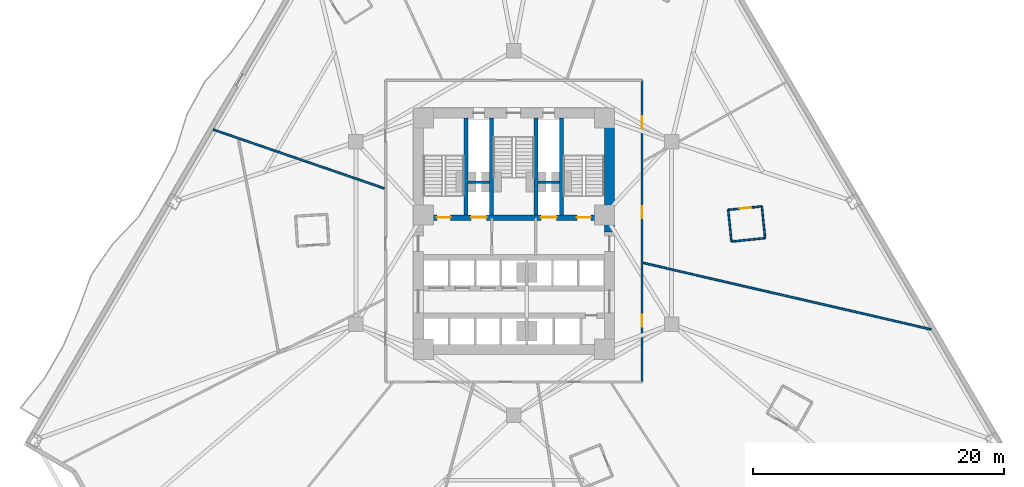
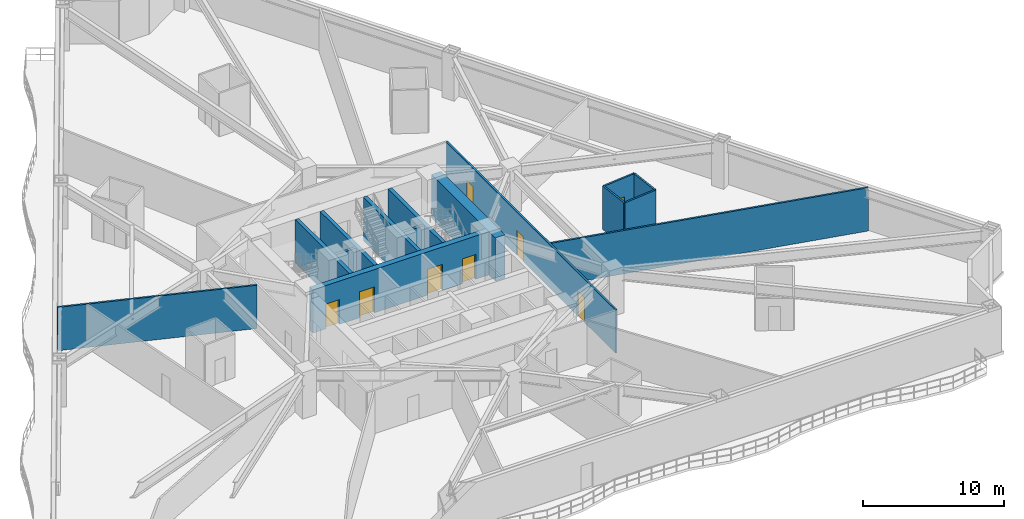
# One storey, part 5 of 11: 15 walls, 8 doors, 8 openings.
"""IFC4 building model written with IfcOpenShell, lengths in metres."""

from ifc_helpers import new_model, si_unit, direction, frame, frame_2d, origin, place, context, subcontext, project, spatial, rectangle, extrude, material, layer, layer_set, type_object, element, fill, save


model = new_model("IFC4")

# Units and contexts
model_context = context("Model", 3, precision=1e-05, world=origin(), true_north=direction((0.0, 1.0)))
body_context = subcontext(model_context, "Body", "Model", "MODEL_VIEW")
ifc_project = project(units=[si_unit("LENGTHUNIT", "METRE"), si_unit("AREAUNIT", "SQUARE_METRE"), si_unit("VOLUMEUNIT", "CUBIC_METRE"), si_unit("PLANEANGLEUNIT", "RADIAN"), si_unit("MASSUNIT", "GRAM", prefix="KILO")], contexts=[model_context])

# Site, building, storey
site_placement = place(None, origin())
site = spatial("IfcSite", under=ifc_project, at=site_placement, CompositionType="ELEMENT")
building_placement = place(site_placement, origin())
building = spatial("IfcBuilding", under=site, at=building_placement, Name="Apsidion Concourse Tower", CompositionType="ELEMENT")
storey_placement = place(building_placement, frame((0.0, 0.0, 46.39990234375)))
storey = spatial("IfcBuildingStorey", under=building, at=storey_placement, Name="L09", CompositionType="ELEMENT", Elevation=46.39990234375)

# Walls
ifc_material_1 = material(Name="Gypsum plasterboard partition")
ifc_layer_1 = layer(ifc_material_1, 0.139892578125)
ifc_layer_set_1 = layer_set([ifc_layer_1], Name="Gypsum plasterboard partition")
wall_type_1 = type_object("IfcWallType", Name="WL-INT-PAR-140", PredefinedType="PARTITIONING", material=ifc_layer_set_1)
wall_1_placement = place(storey_placement, frame((17.3173828125, -0.6806640625, 0.0), z_axis=(0.0, 0.0, 1.0), x_axis=(0.994708437569, 0.102738134245, 0.0)))
element("IfcWall", 1, at=wall_1_placement, inside=storey, type_object=wall_type_1, Name="L09 Interior Partition WL-L09-POD-ENS06-S1", PredefinedType="PARTITIONING", context=body_context, shape_type="SweptSolid", body=[
    extrude(rectangle(XDim=2.68994140625, YDim=0.139892578125, at=frame_2d((1.344970703125, 0.0))), origin(), (0.0, 0.0, 1.0), 3.75),
])
wall_2_placement = place(storey_placement, frame((19.9931640625, -0.404296875, 0.0), z_axis=(0.0, 0.0, 1.0), x_axis=(-0.102748303881, 0.994707387149, 0.0)))
element("IfcWall", 2, at=wall_2_placement, inside=storey, type_object=wall_type_1, Name="L09 Interior Partition WL-L09-POD-ENS06-S2", PredefinedType="PARTITIONING", context=body_context, shape_type="SweptSolid", body=[
    extrude(rectangle(XDim=2.5400390625, YDim=0.139892578125, at=frame_2d((1.27001953125, 0.0))), origin(), (0.0, 0.0, 1.0), 3.75),
])

# Wall, opening, door
wall_3_placement = place(storey_placement, frame((19.732177734375, 2.122314453125, 0.0), z_axis=(0.0, 0.0, 1.0), x_axis=(-0.994699158628, -0.102827933095, 0.0)))
wall_3 = element("IfcWall", 3, at=wall_3_placement, inside=storey, type_object=wall_type_1, Name="L09 Interior Partition WL-L09-POD-ENS06-S3", PredefinedType="PARTITIONING", context=body_context, shape_type="SweptSolid", body=[
    extrude(rectangle(XDim=2.68994140625, YDim=0.139892578125, at=frame_2d((1.344970703125, 0.0))), origin(), (0.0, 0.0, 1.0), 3.75),
])
opening_1_placement = place(wall_3_placement, frame((0.905029296875, 0.0, 0.0)))
opening_1 = element("IfcOpeningElement", 4, at=opening_1_placement, cuts=wall_3, Name="Opening D-03L", PredefinedType="OPENING", context=body_context, shape_type="SweptSolid", body=[
    extrude(rectangle(XDim=0.8798828125, YDim=2.10009765625, at=frame_2d((0.43994140625, 1.050048828125))), frame((0.0, 0.080078125, 0.0), z_axis=(0.0, -1.0, 0.0), x_axis=(1.0, 0.0, 0.0)), (0.0, 0.0, 1.0), 0.159912109375),
])
ifc_material_2 = material(Name="Anodised aluminium EN AW-6063 T6", Category="aluminium")
door_type_1 = type_object("IfcDoorType", Name="DR-INT-D03L", OperationType="SINGLE_SWING_LEFT", PredefinedType="DOOR", material=ifc_material_2)
door_1_placement = place(opening_1_placement, origin())
door_1 = element("IfcDoor", 5, at=door_1_placement, inside=storey, type_object=door_type_1, Name="L09 Guest En-Suite Bathroom Door ENS06", OperationType="SINGLE_SWING_LEFT", OverallHeight=2.10009765625, OverallWidth=0.8798828125, PredefinedType="DOOR", context=body_context, shape_type="SweptSolid", body=[
    extrude(rectangle(XDim=0.8798828125, YDim=2.10009765625, at=frame_2d((0.43994140625, 1.050048828125))), frame((0.0, 0.02490234375, 0.0), z_axis=(0.0, -1.0, 0.0), x_axis=(1.0, 0.0, 0.0)), (0.0, 0.0, 1.0), 0.050048828125),
])
fill(opening_1, door_1)

# Wall
wall_4_placement = place(storey_placement, frame((17.056396484375, 1.845703125, 0.0), z_axis=(0.0, 0.0, 1.0), x_axis=(0.102758128331, -0.994706372284, 0.0)))
element("IfcWall", 6, at=wall_4_placement, inside=storey, type_object=wall_type_1, Name="L09 Interior Partition WL-L09-POD-ENS06-S4", PredefinedType="PARTITIONING", context=body_context, shape_type="SweptSolid", body=[
    extrude(rectangle(XDim=2.539794921875, YDim=0.139892578125, at=frame_2d((1.27001953125, 0.0))), origin(), (0.0, 0.0, 1.0), 3.75),
])

# Wall, openings, doors
ifc_layer_2 = layer(ifc_material_1, 0.14990234375)
ifc_layer_set_2 = layer_set([ifc_layer_2], Name="Gypsum plasterboard partition")
wall_type_2 = type_object("IfcWallType", Name="WL-INT-PAR-150", PredefinedType="PARTITIONING", material=ifc_layer_set_2)
wall_5_placement = place(storey_placement, frame((10.199951171875, 12.14990234375, 0.0), z_axis=(0.0, 0.0, 1.0), x_axis=(0.0, -1.0, 0.0)))
wall_5 = element("IfcWall", 7, at=wall_5_placement, inside=storey, type_object=wall_type_2, Name="L09 Interior Partition WL-L09-CORR-02", PredefinedType="PARTITIONING", context=body_context, shape_type="SweptSolid", body=[
    extrude(rectangle(XDim=24.0, YDim=0.14990234375, at=frame_2d((12.0, 0.0))), origin(), (0.0, 0.0, 1.0), 3.75),
])
opening_2_placement = place(wall_5_placement, frame((18.66015625, 0.0, 0.0)))
opening_2 = element("IfcOpeningElement", 8, at=opening_2_placement, cuts=wall_5, Name="Opening D-01R", PredefinedType="OPENING", context=body_context, shape_type="SweptSolid", body=[
    extrude(rectangle(XDim=0.949951171875, YDim=2.14990234375, at=frame_2d((0.47509765625, 1.074951171875))), frame((0.0, 0.0849609375, 0.0), z_axis=(0.0, -1.0, 0.0), x_axis=(1.0, 0.0, 0.0)), (0.0, 0.0, 1.0), 0.169921875),
])
opening_3_placement = place(wall_5_placement, frame((10.010498046875, 0.0, 0.0)))
opening_3 = element("IfcOpeningElement", 9, at=opening_3_placement, cuts=wall_5, Name="Opening D-01L", PredefinedType="OPENING", context=body_context, shape_type="SweptSolid", body=[
    extrude(rectangle(XDim=0.949951171875, YDim=2.14990234375, at=frame_2d((0.47509765625, 1.074951171875))), frame((0.0, 0.0849609375, 0.0), z_axis=(0.0, -1.0, 0.0), x_axis=(1.0, 0.0, 0.0)), (0.0, 0.0, 1.0), 0.169921875),
])
opening_4_placement = place(wall_5_placement, frame((2.873046875, 0.0, 0.0)))
opening_4 = element("IfcOpeningElement", 10, at=opening_4_placement, cuts=wall_5, Name="Opening D-01R", PredefinedType="OPENING", context=body_context, shape_type="SweptSolid", body=[
    extrude(rectangle(XDim=0.949951171875, YDim=2.14990234375, at=frame_2d((0.47509765625, 1.074951171875))), frame((0.0, 0.0849609375, 0.0), z_axis=(0.0, -1.0, 0.0), x_axis=(1.0, 0.0, 0.0)), (0.0, 0.0, 1.0), 0.169921875),
])
ifc_material_3 = material(Name="Brushed stainless steel 316", Category="steel")
door_type_2 = type_object("IfcDoorType", Name="DR-INT-D01L", OperationType="SINGLE_SWING_LEFT", PredefinedType="DOOR", material=ifc_material_3)
door_2_placement = place(opening_3_placement, origin())
door_2 = element("IfcDoor", 11, at=door_2_placement, inside=storey, type_object=door_type_2, Name="L09 Corridor Entry Door 07", OperationType="SINGLE_SWING_LEFT", OverallHeight=2.14990234375, OverallWidth=0.949951171875, PredefinedType="DOOR", context=body_context, shape_type="SweptSolid", body=[
    extrude(rectangle(XDim=0.949951171875, YDim=2.14990234375, at=frame_2d((0.47509765625, 1.074951171875))), frame((0.0, 0.02490234375, 0.0), z_axis=(0.0, -1.0, 0.0), x_axis=(1.0, 0.0, 0.0)), (0.0, 0.0, 1.0), 0.050048828125),
])
fill(opening_3, door_2)
door_type_3 = type_object("IfcDoorType", Name="DR-INT-D01R", OperationType="SINGLE_SWING_RIGHT", PredefinedType="DOOR", material=ifc_material_3)
door_3_placement = place(opening_2_placement, origin())
door_3 = element("IfcDoor", 12, at=door_3_placement, inside=storey, type_object=door_type_3, Name="L09 Corridor Entry Door 06", OperationType="SINGLE_SWING_RIGHT", OverallHeight=2.14990234375, OverallWidth=0.949951171875, PredefinedType="DOOR", context=body_context, shape_type="SweptSolid", body=[
    extrude(rectangle(XDim=0.949951171875, YDim=2.14990234375, at=frame_2d((0.47509765625, 1.074951171875))), frame((0.0, 0.02490234375, 0.0), z_axis=(0.0, -1.0, 0.0), x_axis=(1.0, 0.0, 0.0)), (0.0, 0.0, 1.0), 0.050048828125),
])
fill(opening_2, door_3)
door_4_placement = place(opening_4_placement, origin())
door_4 = element("IfcDoor", 13, at=door_4_placement, inside=storey, type_object=door_type_3, Name="L09 Corridor Entry Door 08", OperationType="SINGLE_SWING_RIGHT", OverallHeight=2.14990234375, OverallWidth=0.949951171875, PredefinedType="DOOR", context=body_context, shape_type="SweptSolid", body=[
    extrude(rectangle(XDim=0.949951171875, YDim=2.14990234375, at=frame_2d((0.47509765625, 1.074951171875))), frame((0.0, 0.02490234375, 0.0), z_axis=(0.0, -1.0, 0.0), x_axis=(1.0, 0.0, 0.0)), (0.0, 0.0, 1.0), 0.050048828125),
])
fill(opening_4, door_4)

# Walls
wall_6_placement = place(storey_placement, frame((-10.304931640625, 3.54833984375, 0.0), z_axis=(0.0, 0.0, 1.0), x_axis=(-0.94551936362, 0.32556586587, 0.0)))
element("IfcWall", 14, at=wall_6_placement, inside=storey, type_object=wall_type_2, Name="L09 Interior Partition WL-L09-RAD-04-1", PredefinedType="PARTITIONING", context=body_context, shape_type="SweptSolid", body=[
    extrude(rectangle(XDim=14.400146484375, YDim=0.14990234375, at=frame_2d((7.2001953125, 0.0))), origin(), (0.0, 0.0, 1.0), 3.75),
])
wall_7_placement = place(storey_placement, frame((10.304931640625, -2.379150390625, 0.0), z_axis=(0.0, 0.0, 1.0), x_axis=(0.974372109456, -0.224942197717, 0.0)))
element("IfcWall", 15, at=wall_7_placement, inside=storey, type_object=wall_type_2, Name="L09 Interior Partition WL-L09-RAD-10-1", PredefinedType="PARTITIONING", context=body_context, shape_type="SweptSolid", body=[
    extrude(rectangle(XDim=23.503173828125, YDim=0.14990234375, at=frame_2d((11.75146484375, 0.0))), origin(), (0.0, 0.0, 1.0), 3.75),
])
ifc_layer_3 = layer(ifc_material_1, 0.199951171875)
ifc_layer_set_3 = layer_set([ifc_layer_3], Name="Gypsum plasterboard partition")
wall_type_3 = type_object("IfcWallType", Name="WL-INT-PAR-200", PredefinedType="PARTITIONING", material=ifc_layer_set_3)
for number, where, z_axis, x_axis, name in (
    (16, (-3.64990234375, 4.050048828125, 0.0), (0.0, 0.0, 1.0), (1.0, 0.0, 0.0), "L09 Interior Partition WL-L09-FF1-N"),
    (17, (1.919921875, 4.050048828125, 0.0), (0.0, 0.0, 1.0), (1.0, 0.0, 0.0), "L09 Interior Partition WL-L09-FF2-N"),
):
    element("IfcWall", number, at=place(storey_placement, frame(where, z_axis=z_axis, x_axis=x_axis)), inside=storey, type_object=wall_type_3, Name=name, PredefinedType="PARTITIONING", context=body_context, shape_type="SweptSolid", body=[
        extrude(rectangle(XDim=1.72998046875, YDim=0.199951171875, at=frame_2d((0.864990234375, 0.0))), origin(), (0.0, 0.0, 1.0), 3.75),
    ])
ifc_material_4 = material(Name="Concrete C50/60", Category="concrete")
ifc_layer_4 = layer(ifc_material_4, 0.300048828125)
ifc_layer_set_4 = layer_set([ifc_layer_4], Name="Concrete C50/60")
wall_type_4 = type_object("IfcWallType", Name="WL-SH-300", PredefinedType="SHEAR", material=ifc_layer_set_4)
for number, where, z_axis, x_axis, name in (
    (18, (-3.800048828125, 1.449951171875, 0.0), (0.0, 0.0, 1.0), (0.0, 1.0, 0.0), "L09 Central Core Shear Wall V1"),
    (19, (-1.77490234375, 1.449951171875, 0.0), (0.0, 0.0, 1.0), (0.0, 1.0, 0.0), "L09 Central Core Shear Wall V2"),
    (20, (1.77490234375, 1.449951171875, 0.0), (0.0, 0.0, 1.0), (0.0, 1.0, 0.0), "L09 Central Core Shear Wall V3"),
    (21, (3.800048828125, 1.449951171875, 0.0), (0.0, 0.0, 1.0), (0.0, 1.0, 0.0), "L09 Central Core Shear Wall V4"),
):
    element("IfcWall", number, at=place(storey_placement, frame(where, z_axis=z_axis, x_axis=x_axis)), inside=storey, type_object=wall_type_4, Name=name, PredefinedType="SHEAR", context=body_context, shape_type="SweptSolid", body=[
        extrude(rectangle(XDim=7.699951171875, YDim=0.300048828125, at=frame_2d((3.85009765625, 0.0))), origin(), (0.0, 0.0, 1.0), 3.75),
    ])

# Wall, openings, doors
ifc_material_5 = material(Name="Concrete C60/75", Category="concrete")
ifc_layer_5 = layer(ifc_material_5, 0.449951171875)
ifc_layer_set_5 = layer_set([ifc_layer_5], Name="Concrete C60/75")
wall_type_5 = type_object("IfcWallType", Name="WL-SH-450", PredefinedType="SHEAR", material=ifc_layer_set_5)
wall_8_placement = place(storey_placement, frame((-7.199951171875, 1.22509765625, 0.0), z_axis=(0.0, 0.0, 1.0), x_axis=(1.0, 0.0, 0.0)))
wall_8 = element("IfcWall", 22, at=wall_8_placement, inside=storey, type_object=wall_type_5, Name="L09 Central Core Shear Wall M1", PredefinedType="SHEAR", context=body_context, shape_type="SweptSolid", body=[
    extrude(rectangle(XDim=14.39990234375, YDim=0.449951171875, at=frame_2d((7.199951171875, 0.0))), origin(), (0.0, 0.0, 1.0), 3.75),
])
opening_5_placement = place(wall_8_placement, frame((3.794921875, 0.0, 0.0)))
opening_5 = element("IfcOpeningElement", 23, at=opening_5_placement, cuts=wall_8, Name="Opening LD-FF", PredefinedType="OPENING", context=body_context, shape_type="SweptSolid", body=[
    extrude(rectangle(XDim=1.25, YDim=2.25, at=frame_2d((0.625, 1.125))), frame((0.0, 0.23486328125, 0.0), z_axis=(0.0, -1.0, 0.0), x_axis=(1.0, 0.0, 0.0)), (0.0, 0.0, 1.0), 0.469970703125),
])
opening_6_placement = place(wall_8_placement, frame((9.35498046875, 0.0, 0.0)))
opening_6 = element("IfcOpeningElement", 24, at=opening_6_placement, cuts=wall_8, Name="Opening LD-FF", PredefinedType="OPENING", context=body_context, shape_type="SweptSolid", body=[
    extrude(rectangle(XDim=1.25, YDim=2.25, at=frame_2d((0.625, 1.125))), frame((0.0, 0.23486328125, 0.0), z_axis=(0.0, -1.0, 0.0), x_axis=(1.0, 0.0, 0.0)), (0.0, 0.0, 1.0), 0.469970703125),
])
opening_7_placement = place(wall_8_placement, frame((1.074951171875, 0.0, 0.0)))
opening_7 = element("IfcOpeningElement", 25, at=opening_7_placement, cuts=wall_8, Name="Opening D-STL", PredefinedType="OPENING", context=body_context, shape_type="SweptSolid", body=[
    extrude(rectangle(XDim=1.10009765625, YDim=2.14990234375, at=frame_2d((0.550048828125, 1.074951171875))), frame((0.0, 0.23486328125, 0.0), z_axis=(0.0, -1.0, 0.0), x_axis=(1.0, 0.0, 0.0)), (0.0, 0.0, 1.0), 0.469970703125),
])
opening_8_placement = place(wall_8_placement, frame((12.22509765625, 0.0, 0.0)))
opening_8 = element("IfcOpeningElement", 26, at=opening_8_placement, cuts=wall_8, Name="Opening D-STR", PredefinedType="OPENING", context=body_context, shape_type="SweptSolid", body=[
    extrude(rectangle(XDim=1.10009765625, YDim=2.14990234375, at=frame_2d((0.550048828125, 1.074951171875))), frame((0.0, 0.23486328125, 0.0), z_axis=(0.0, -1.0, 0.0), x_axis=(1.0, 0.0, 0.0)), (0.0, 0.0, 1.0), 0.469970703125),
])
door_type_4 = type_object("IfcDoorType", Name="DR-INT-ST1L", OperationType="SINGLE_SWING_LEFT", PredefinedType="DOOR", material=ifc_material_3)
door_5_placement = place(opening_7_placement, origin())
door_5 = element("IfcDoor", 27, at=door_5_placement, inside=storey, type_object=door_type_4, Name="L09 Core Exit Stair ST1 Door", OperationType="SINGLE_SWING_LEFT", OverallHeight=2.14990234375, OverallWidth=1.10009765625, PredefinedType="DOOR", context=body_context, shape_type="SweptSolid", body=[
    extrude(rectangle(XDim=1.10009765625, YDim=2.14990234375, at=frame_2d((0.550048828125, 1.074951171875))), frame((0.0, 0.02490234375, 0.0), z_axis=(0.0, -1.0, 0.0), x_axis=(1.0, 0.0, 0.0)), (0.0, 0.0, 1.0), 0.050048828125),
])
fill(opening_7, door_5)
door_type_5 = type_object("IfcDoorType", Name="DR-INT-ST1R", OperationType="SINGLE_SWING_RIGHT", PredefinedType="DOOR", material=ifc_material_3)
door_6_placement = place(opening_8_placement, origin())
door_6 = element("IfcDoor", 28, at=door_6_placement, inside=storey, type_object=door_type_5, Name="L09 Core Exit Stair ST2 Door", OperationType="SINGLE_SWING_RIGHT", OverallHeight=2.14990234375, OverallWidth=1.10009765625, PredefinedType="DOOR", context=body_context, shape_type="SweptSolid", body=[
    extrude(rectangle(XDim=1.10009765625, YDim=2.14990234375, at=frame_2d((0.550048828125, 1.074951171875))), frame((0.0, 0.02490234375, 0.0), z_axis=(0.0, -1.0, 0.0), x_axis=(1.0, 0.0, 0.0)), (0.0, 0.0, 1.0), 0.050048828125),
])
fill(opening_8, door_6)
door_type_6 = type_object("IfcDoorType", Name="DR-LD-FSAE", OperationType="DOUBLE_DOOR_SLIDING", PredefinedType="DOOR", material=ifc_material_3)
door_7_placement = place(opening_5_placement, origin())
door_7 = element("IfcDoor", 29, at=door_7_placement, inside=storey, type_object=door_type_6, Name="L09 Lift Landing Door FF1", OperationType="DOUBLE_DOOR_SLIDING", OverallHeight=2.25, OverallWidth=1.25, PredefinedType="DOOR", context=body_context, shape_type="SweptSolid", body=[
    extrude(rectangle(XDim=1.25, YDim=2.25, at=frame_2d((0.625, 1.125))), frame((0.0, 0.02490234375, 0.0), z_axis=(0.0, -1.0, 0.0), x_axis=(1.0, 0.0, 0.0)), (0.0, 0.0, 1.0), 0.050048828125),
])
fill(opening_5, door_7)
door_8_placement = place(opening_6_placement, origin())
door_8 = element("IfcDoor", 30, at=door_8_placement, inside=storey, type_object=door_type_6, Name="L09 Lift Landing Door FF2", OperationType="DOUBLE_DOOR_SLIDING", OverallHeight=2.25, OverallWidth=1.25, PredefinedType="DOOR", context=body_context, shape_type="SweptSolid", body=[
    extrude(rectangle(XDim=1.25, YDim=2.25, at=frame_2d((0.625, 1.125))), frame((0.0, 0.02490234375, 0.0), z_axis=(0.0, -1.0, 0.0), x_axis=(1.0, 0.0, 0.0)), (0.0, 0.0, 1.0), 0.050048828125),
])
fill(opening_6, door_8)

# Wall
ifc_layer_6 = layer(ifc_material_5, 0.800048828125)
ifc_layer_set_6 = layer_set([ifc_layer_6], Name="Concrete C60/75")
wall_type_6 = type_object("IfcWallType", Name="WL-SH-800", PredefinedType="SHEAR", material=ifc_layer_set_6)
wall_9_placement = place(storey_placement, frame((7.60009765625, 0.10009765625, 0.0), z_axis=(0.0, 0.0, 1.0), x_axis=(0.0, 1.0, 0.0)))
element("IfcWall", 31, at=wall_9_placement, inside=storey, type_object=wall_type_6, Name="L09 Central Core Shear Wall EN", PredefinedType="SHEAR", context=body_context, shape_type="SweptSolid", body=[
    extrude(rectangle(XDim=9.0498046875, YDim=0.800048828125, at=frame_2d((4.52490234375, 0.0))), origin(), (0.0, 0.0, 1.0), 3.75),
])

save(model, "model.ifc")
